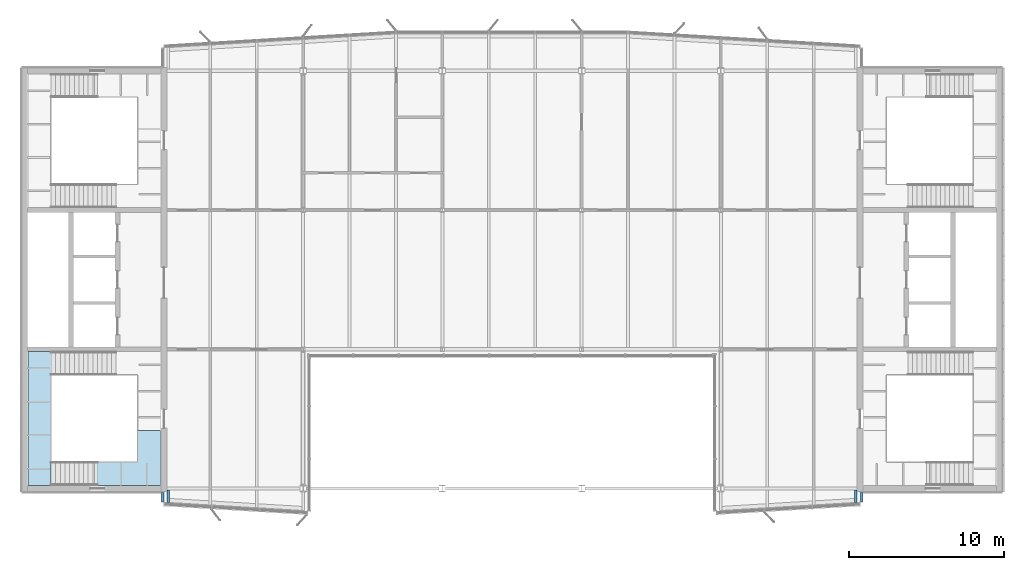
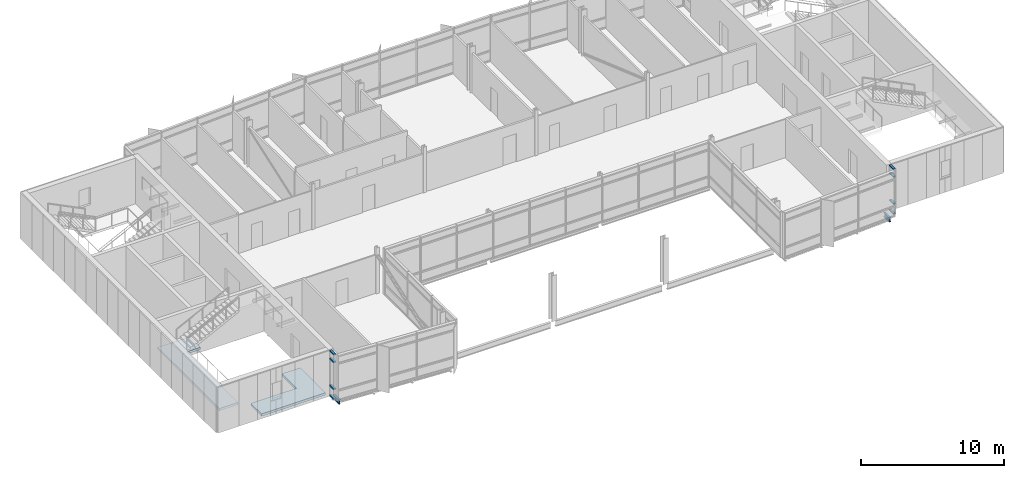
# One storey, part 10 of 20: 8 members, 2 beams, 2 slabs, 3 elements without a shape of their own.
"""IFC4 building model written with IfcOpenShell, lengths in metres."""

from ifc_helpers import new_model, si_unit, direction, frame, origin, origin_2d, place, context, subcontext, project, spatial, polyline, rectangle, i_section, outline, extrude, material, layer, layer_set, material_profile, profile_set, type_object, element, aggregate, save


model = new_model("IFC4")

# Units and contexts
model_context = context("Model", 3, precision=1e-05, world=origin(), true_north=direction((0.0, 1.0)))
body_context = subcontext(model_context, "Body", "Model", "MODEL_VIEW")
ifc_project = project(units=[si_unit("LENGTHUNIT", "METRE"), si_unit("AREAUNIT", "SQUARE_METRE"), si_unit("VOLUMEUNIT", "CUBIC_METRE"), si_unit("PLANEANGLEUNIT", "RADIAN"), si_unit("MASSUNIT", "GRAM", prefix="KILO")], contexts=[model_context])

# Site, building, storey
site_placement = place(None, origin())
site = spatial("IfcSite", under=ifc_project, at=site_placement, CompositionType="ELEMENT")
building_placement = place(site_placement, origin())
building = spatial("IfcBuilding", under=site, at=building_placement, Name="Azimuth Sports and Learning Centre", CompositionType="ELEMENT")
storey_placement = place(building_placement, frame((0.0, 0.0, 71.39990234375)))
storey = spatial("IfcBuildingStorey", under=building, at=storey_placement, Name="L16", CompositionType="ELEMENT", Elevation=71.39990234375)

# Beams
ifc_material_1 = material(Name="Steel S355", Category="steel")
ifc_material_profile_1 = material_profile(ifc_material_1, i_section(OverallWidth=0.169921875, OverallDepth=0.360107421875, WebThickness=0.008056640625, FlangeThickness=0.0126953125, FilletRadius=0.01806640625, at=origin_2d()), Name="IPE 360")
ifc_profile_set_1 = profile_set([ifc_material_profile_1], Name="Steel S355")
beam_type = type_object("IfcBeamType", Name="Cantilever stub IPE 360", PredefinedType="JOIST", material=ifc_profile_set_1)
for number, where, z_axis, x_axis, name in (
    (1, (63.284912109375, 89.89990234375, -0.309814453125), (0.0, -1.0, 0.0), (1.0, 0.0, 0.0), "Tower cantilever stub"),
    (2, (107.715087890625, 89.89990234375, -0.309814453125), (0.0, -1.0, 0.0), (1.0, 0.0, 0.0), "Tower cantilever stub"),
):
    element("IfcBeam", number, at=place(storey_placement, frame(where, z_axis=z_axis, x_axis=x_axis)), inside=storey, type_object=beam_type, Name=name, PredefinedType="JOIST", context=body_context, shape_type="SweptSolid", body=[
        extrude(i_section(OverallWidth=0.169921875, OverallDepth=0.360107421875, WebThickness=0.008056640625, FlangeThickness=0.0126953125, FilletRadius=0.01806640625, at=origin_2d()), origin(), (0.0, 0.0, 1.0), 0.797119140625),
    ])

# Curtain wall, members
ifc_material_2 = material(Name="Aluminium and glass", Category="aluminium")
curtain_wall_type = type_object("IfcCurtainWallType", Name="Curtain wall tower return 180", PredefinedType="NOTDEFINED", material=ifc_material_2)
curtain_wall_1_placement = place(storey_placement, origin())
curtain_wall_1 = element("IfcCurtainWall", 3, at=curtain_wall_1_placement, inside=storey, type_object=curtain_wall_type, Name="Curtain wall CW16-001", PredefinedType="NOTDEFINED")
ifc_material_3 = material(Name="Aluminium", Category="aluminium")
ifc_material_profile_2 = material_profile(ifc_material_3, rectangle(XDim=0.179931640625, YDim=0.10009765625, at=origin_2d()), Name="Transom 100x180")
ifc_profile_set_2 = profile_set([ifc_material_profile_2], Name="Aluminium")
member_type = type_object("IfcMemberType", Name="Transom 100x180", PredefinedType="USERDEFINED", material=ifc_profile_set_2)
member_1_placement = place(storey_placement, frame((62.909912109375, 89.739990234375, 0.050048828125), z_axis=(0.0, -1.0, 0.0), x_axis=(1.0, 0.0, 0.0)))
member_1 = element("IfcMember", 4, at=member_1_placement, type_object=member_type, Name="CW16-001 transom 1.1", ObjectType="TRANSOM", PredefinedType="USERDEFINED", context=body_context, shape_type="SweptSolid", body=[
    extrude(rectangle(XDim=0.179931640625, YDim=0.10009765625, at=origin_2d()), origin(), (0.0, 0.0, 1.0), 0.580078125),
])
member_2_placement = place(storey_placement, frame((62.909912109375, 89.739990234375, 0.900146484375), z_axis=(0.0, -1.0, 0.0), x_axis=(1.0, 0.0, 0.0)))
member_2 = element("IfcMember", 5, at=member_2_placement, type_object=member_type, Name="CW16-001 transom 1.2", ObjectType="TRANSOM", PredefinedType="USERDEFINED", context=body_context, shape_type="SweptSolid", body=[
    extrude(rectangle(XDim=0.179931640625, YDim=0.10009765625, at=origin_2d()), origin(), (0.0, 0.0, 1.0), 0.580078125),
])
member_3_placement = place(storey_placement, frame((62.909912109375, 89.739990234375, 3.2001953125), z_axis=(0.0, -1.0, 0.0), x_axis=(1.0, 0.0, 0.0)))
member_3 = element("IfcMember", 6, at=member_3_placement, type_object=member_type, Name="CW16-001 transom 1.3", ObjectType="TRANSOM", PredefinedType="USERDEFINED", context=body_context, shape_type="SweptSolid", body=[
    extrude(rectangle(XDim=0.179931640625, YDim=0.10009765625, at=origin_2d()), origin(), (0.0, 0.0, 1.0), 0.580078125),
])
member_4_placement = place(storey_placement, frame((62.909912109375, 89.739990234375, 3.85009765625), z_axis=(0.0, -1.0, 0.0), x_axis=(1.0, 0.0, 0.0)))
member_4 = element("IfcMember", 7, at=member_4_placement, type_object=member_type, Name="CW16-001 transom 1.4", ObjectType="TRANSOM", PredefinedType="USERDEFINED", context=body_context, shape_type="SweptSolid", body=[
    extrude(rectangle(XDim=0.179931640625, YDim=0.10009765625, at=origin_2d()), origin(), (0.0, 0.0, 1.0), 0.580078125),
])
aggregate(curtain_wall_1, [member_1, member_2, member_3, member_4])

curtain_wall_2_placement = place(storey_placement, origin())
curtain_wall_2 = element("IfcCurtainWall", 8, at=curtain_wall_2_placement, inside=storey, type_object=curtain_wall_type, Name="Curtain wall CW16-007", PredefinedType="NOTDEFINED")
member_5_placement = place(storey_placement, frame((108.090087890625, 89.159912109375, 0.050048828125), z_axis=(0.0, 1.0, 0.0), x_axis=(-1.0, 0.0, 0.0)))
member_5 = element("IfcMember", 9, at=member_5_placement, type_object=member_type, Name="CW16-007 transom 1.1", ObjectType="TRANSOM", PredefinedType="USERDEFINED", context=body_context, shape_type="SweptSolid", body=[
    extrude(rectangle(XDim=0.179931640625, YDim=0.10009765625, at=origin_2d()), origin(), (0.0, 0.0, 1.0), 0.580078125),
])
member_6_placement = place(storey_placement, frame((108.090087890625, 89.159912109375, 0.900146484375), z_axis=(0.0, 1.0, 0.0), x_axis=(-1.0, 0.0, 0.0)))
member_6 = element("IfcMember", 10, at=member_6_placement, type_object=member_type, Name="CW16-007 transom 1.2", ObjectType="TRANSOM", PredefinedType="USERDEFINED", context=body_context, shape_type="SweptSolid", body=[
    extrude(rectangle(XDim=0.179931640625, YDim=0.10009765625, at=origin_2d()), origin(), (0.0, 0.0, 1.0), 0.580078125),
])
member_7_placement = place(storey_placement, frame((108.090087890625, 89.159912109375, 3.2001953125), z_axis=(0.0, 1.0, 0.0), x_axis=(-1.0, 0.0, 0.0)))
member_7 = element("IfcMember", 11, at=member_7_placement, type_object=member_type, Name="CW16-007 transom 1.3", ObjectType="TRANSOM", PredefinedType="USERDEFINED", context=body_context, shape_type="SweptSolid", body=[
    extrude(rectangle(XDim=0.179931640625, YDim=0.10009765625, at=origin_2d()), origin(), (0.0, 0.0, 1.0), 0.580078125),
])
member_8_placement = place(storey_placement, frame((108.090087890625, 89.159912109375, 3.85009765625), z_axis=(0.0, 1.0, 0.0), x_axis=(-1.0, 0.0, 0.0)))
member_8 = element("IfcMember", 12, at=member_8_placement, type_object=member_type, Name="CW16-007 transom 1.4", ObjectType="TRANSOM", PredefinedType="USERDEFINED", context=body_context, shape_type="SweptSolid", body=[
    extrude(rectangle(XDim=0.179931640625, YDim=0.10009765625, at=origin_2d()), origin(), (0.0, 0.0, 1.0), 0.580078125),
])
aggregate(curtain_wall_2, [member_5, member_6, member_7, member_8])

# Stair, slabs
ifc_material_4 = material(Name="Concrete C32/40", Category="concrete")
stair_type = type_object("IfcStairType", Name="Square-well stair core 3900 storey", PredefinedType="THREE_QUARTER_TURN_STAIR", material=ifc_material_4)
stair_placement = place(storey_placement, origin())
stair = element("IfcStair", 13, at=stair_placement, inside=storey, type_object=stair_type, Name="Stair W1 L16-L17", PredefinedType="THREE_QUARTER_TURN_STAIR")
ifc_material_5 = material(Name="Concrete C32/40", Category="concrete")
ifc_layer = layer(ifc_material_5, 0.199951171875)
ifc_layer_set = layer_set([ifc_layer], Name="Concrete C32/40")
slab_type = type_object("IfcSlabType", Name="Concrete stair landing", PredefinedType="LANDING", material=ifc_layer_set)
slab_1_placement = place(storey_placement, frame((0.0, 0.0, -0.199951171875)))
slab_1 = element("IfcSlab", 14, at=slab_1_placement, type_object=slab_type, Name="Stair W1 L16 landing 1", PredefinedType="LANDING", context=body_context, shape_type="SweptSolid", body=[
    extrude(outline(polyline([(62.7900390625, 90.2099609375), (62.7900390625, 93.75), (61.2900390625, 93.75), (61.2900390625, 91.7099609375), (57.610107421875, 91.7099609375), (57.610107421875, 90.2099609375), (62.7900390625, 90.2099609375)])), origin(), (0.0, 0.0, 1.0), 0.199951171875),
])
slab_2_placement = place(storey_placement, frame((0.0, 0.0, 1.4501953125)))
slab_2 = element("IfcSlab", 15, at=slab_2_placement, type_object=slab_type, Name="Stair W1 L16 landing 2", PredefinedType="LANDING", context=body_context, shape_type="SweptSolid", body=[
    extrude(outline(polyline([(55.7099609375, 91.7099609375), (55.7099609375, 97.340087890625), (56.81005859375, 97.340087890625), (56.81005859375, 98.840087890625), (54.2099609375, 98.840087890625), (54.2099609375, 90.2099609375), (55.710693359375, 90.2099609375), (55.710693359375, 91.7099609375), (55.7099609375, 91.7099609375)])), origin(), (0.0, 0.0, 1.0), 0.199951171875),
])
aggregate(stair, [slab_1, slab_2])

save(model, "model.ifc")
